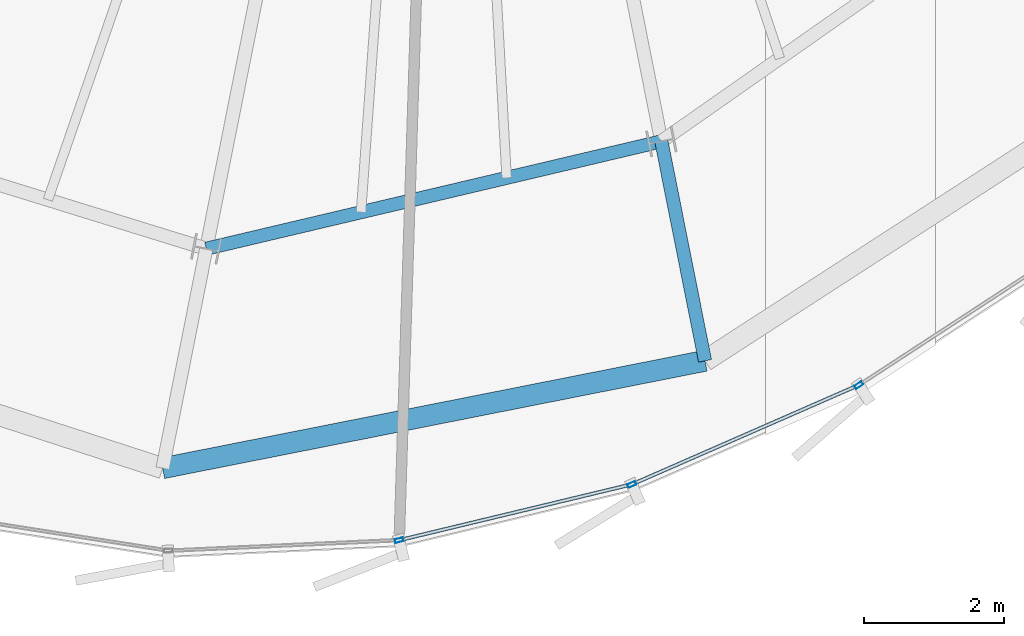
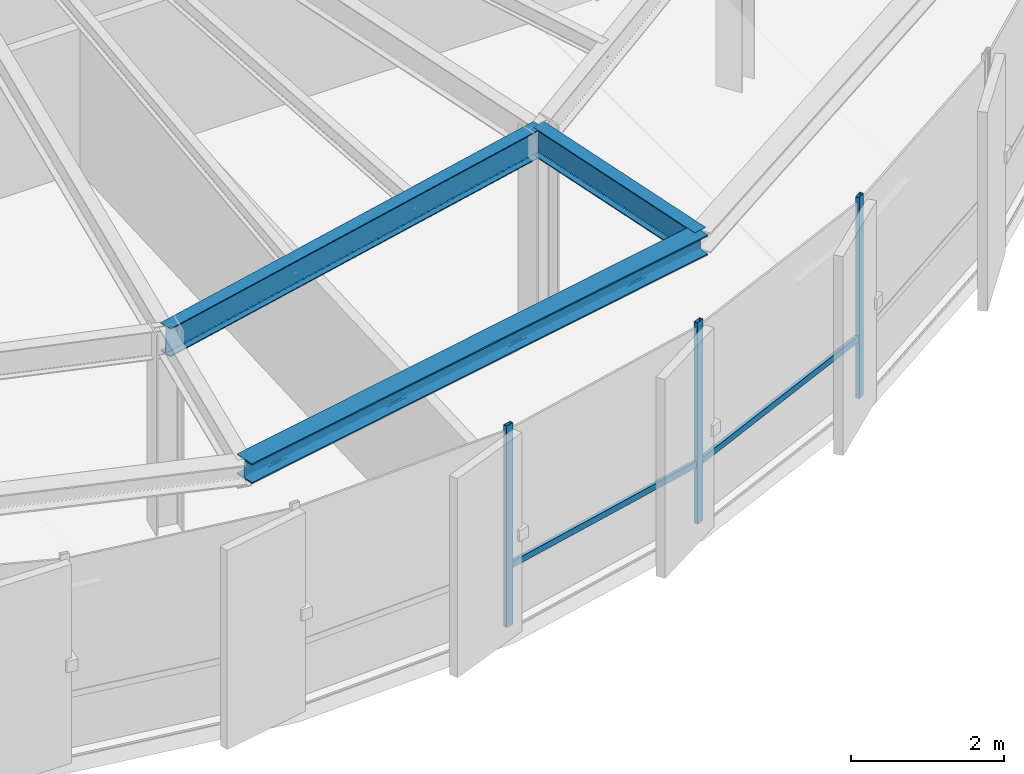
# One storey, part 6 of 31: 5 members, 3 beams, 1 element without a shape of its own.
"""IFC4 building model written with IfcOpenShell, lengths in metres."""

import ifcopenshell
import ifcopenshell.guid

model = None  # the IFC model being written
_history = None  # IfcOwnerHistory: only IFC2X3 demands one
_inside = {}  # id of a spatial element -> (the spatial element, [elements in it])
_under = {}  # id of a project, library or spatial element -> (it, [spatial elements below it])
_declared = {}  # id of a project -> (the project, [libraries it declares])
_typed = {}  # id of a type object -> (the type object, [elements of that type])
_made_of = {}  # id of a material, layer set ... -> (it, [elements and type objects made of it])


def new_model(schema):
    """Start an empty IFC model of exactly this schema.

    Asked for "IFC4X3", IfcOpenShell would pick the latest addendum, in which some entities
    have other attributes; the version numbers below select the first issue.
    IFC2X3 requires an IfcOwnerHistory on every rooted entity: one is made here for all.
    """
    global model, _history
    if schema == "IFC4X3":
        model = ifcopenshell.file(schema_version=(4, 3, 0, 0))
    else:
        model = ifcopenshell.file(schema=schema)
    _inside.clear()
    _under.clear()
    _declared.clear()
    _typed.clear()
    _made_of.clear()
    _history = None
    if model.schema == "IFC2X3":
        org = make("IfcOrganization", Name="unknown")
        user = make(
            "IfcPersonAndOrganization",
            ThePerson=make("IfcPerson", FamilyName="unknown"),
            TheOrganization=org,
        )
        app = make(
            "IfcApplication",
            ApplicationDeveloper=org,
            Version="unknown",
            ApplicationFullName="unknown",
            ApplicationIdentifier="unknown",
        )
        _history = make(
            "IfcOwnerHistory",
            OwningUser=user,
            OwningApplication=app,
            ChangeAction="ADDED",
            CreationDate=0,
        )
    return model


def make(cls, **values):
    """One entity of the class cls with the attributes given. An attribute that is None is left unset."""
    return model.create_entity(
        cls, **{name: value for name, value in values.items() if value is not None}
    )


def rooted(cls, **values):
    """An entity with a GlobalId (a new one), such as an element, a storey or a relation."""
    return make(cls, GlobalId=ifcopenshell.guid.new(), OwnerHistory=_history, **values)


def si_unit(unit_type, name, prefix=None):
    """IfcSIUnit, for example si_unit("LENGTHUNIT", "METRE", prefix="MILLI")."""
    return make("IfcSIUnit", UnitType=unit_type, Prefix=prefix, Name=name)


def assignment(units):
    """IfcUnitAssignment: the units of a project."""
    return None if units is None else make("IfcUnitAssignment", Units=units)


def point(xyz):
    """IfcCartesianPoint."""
    return None if xyz is None else make("IfcCartesianPoint", Coordinates=xyz)


def direction(xyz):
    """IfcDirection."""
    return None if xyz is None else make("IfcDirection", DirectionRatios=xyz)


def frame(location, z_axis=None, x_axis=None):
    """IfcAxis2Placement3D, a coordinate frame: its origin and axes. An axis left out is left unset."""
    return make(
        "IfcAxis2Placement3D",
        Location=point(location),
        Axis=direction(z_axis),
        RefDirection=direction(x_axis),
    )


def frame_2d(location, x_axis=None):
    """IfcAxis2Placement2D, a coordinate frame in the plane: its origin and x axis."""
    return make(
        "IfcAxis2Placement2D", Location=point(location), RefDirection=direction(x_axis)
    )


def origin():
    """The frame at (0, 0, 0) with its axes left unset."""
    return frame((0.0, 0.0, 0.0))


def origin_2d():
    """The frame at (0, 0) in the plane with its x axis left unset."""
    return frame_2d((0.0, 0.0))


def place(relative_to, where):
    """IfcLocalPlacement: puts the frame where relative to a parent placement (None: the world)."""
    return make(
        "IfcLocalPlacement", PlacementRelTo=relative_to, RelativePlacement=where
    )


def context(
    kind, dimensions, precision=None, world=None, true_north=None, identifier=None
):
    """IfcGeometricRepresentationContext, for example the 3D "Model" context."""
    return make(
        "IfcGeometricRepresentationContext",
        ContextIdentifier=identifier,
        ContextType=kind,
        CoordinateSpaceDimension=dimensions,
        Precision=precision,
        WorldCoordinateSystem=world,
        TrueNorth=true_north,
    )


def subcontext(parent, identifier, kind, view, scale=None):
    """IfcGeometricRepresentationSubContext, for example "Body" below "Model"."""
    return make(
        "IfcGeometricRepresentationSubContext",
        ContextIdentifier=identifier,
        ContextType=kind,
        ParentContext=parent,
        TargetScale=scale,
        TargetView=view,
    )


def project(units=None, contexts=None):
    """IfcProject with its units and contexts."""
    return rooted(
        "IfcProject",
        Name="project",
        RepresentationContexts=contexts,
        UnitsInContext=assignment(units),
    )


def spatial(cls, under=None, at=None, **own):
    """A site, building, storey or space (cls), placed at a placement, below another one or the project."""
    s = rooted(cls, ObjectPlacement=at, **own)
    if under is not None:
        _under.setdefault(under.id(), (under, []))[1].append(s)
    return s


def profile(cls, at=None, kind="AREA", **sizes):
    """A parametric profile (cls). Its sizes go by their IFC names, for example OverallWidth=200.0."""
    return make(cls, ProfileType=kind, Position=at, **sizes)


def hollow_rectangle(**sizes):
    """IfcRectangleHollowProfileDef."""
    return profile("IfcRectangleHollowProfileDef", **sizes)


def i_section(**sizes):
    """IfcIShapeProfileDef."""
    return profile("IfcIShapeProfileDef", **sizes)


def extrude(swept, where, along, depth):
    """IfcExtrudedAreaSolid: the profile swept, set in the frame where, extruded along a direction by depth."""
    return make(
        "IfcExtrudedAreaSolid",
        SweptArea=swept,
        Position=where,
        ExtrudedDirection=direction(along),
        Depth=depth,
    )


def shape(context_of_items, identifier, shape_type, items):
    """IfcShapeRepresentation: the items that make up one representation, for example the "Body"."""
    return make(
        "IfcShapeRepresentation",
        ContextOfItems=context_of_items,
        RepresentationIdentifier=identifier,
        RepresentationType=shape_type,
        Items=items,
    )


def source(mapping_origin, context_of_items, identifier, shape_type, items):
    """IfcRepresentationMap: a shape defined once, which mapped items show again and again."""
    return make(
        "IfcRepresentationMap",
        MappingOrigin=mapping_origin,
        MappedRepresentation=shape(context_of_items, identifier, shape_type, items),
    )


def transform(
    local_origin,
    x_axis=None,
    y_axis=None,
    z_axis=None,
    scale=None,
    scale2=None,
    scale3=None,
    uniform=True,
):
    """IfcCartesianTransformationOperator3D, or its non-uniform kind. x_axis, y_axis, z_axis: its Axis1, 2, 3."""
    if uniform:
        return make(
            "IfcCartesianTransformationOperator3D",
            Axis1=direction(x_axis),
            Axis2=direction(y_axis),
            LocalOrigin=point(local_origin),
            Scale=scale,
            Axis3=direction(z_axis),
        )
    return make(
        "IfcCartesianTransformationOperator3DnonUniform",
        Axis1=direction(x_axis),
        Axis2=direction(y_axis),
        LocalOrigin=point(local_origin),
        Scale=scale,
        Axis3=direction(z_axis),
        Scale2=scale2,
        Scale3=scale3,
    )


def mapped(mapping_source, mapping_target):
    """IfcMappedItem: shows the shape of a source again, moved by a transform."""
    return make(
        "IfcMappedItem", MappingSource=mapping_source, MappingTarget=mapping_target
    )


def material(Name=None, Category=None):
    """IfcMaterial."""
    return make("IfcMaterial", Name=Name, Category=Category)


def layer(
    of_material, thickness, ventilated=None, Name=None, Category=None, Priority=None
):
    """IfcMaterialLayer: one layer of a wall or slab, of a material (None: an air gap)."""
    return make(
        "IfcMaterialLayer",
        Material=of_material,
        LayerThickness=thickness,
        IsVentilated=ventilated,
        Name=Name,
        Category=Category,
        Priority=Priority,
    )


def layer_set(layers, Name=None):
    """IfcMaterialLayerSet."""
    return make("IfcMaterialLayerSet", MaterialLayers=layers, LayerSetName=Name)


def material_profile(
    of_material, cross_section, Name=None, Category=None, Priority=None
):
    """IfcMaterialProfile: a cross section and its material."""
    return make(
        "IfcMaterialProfile",
        Name=Name,
        Material=of_material,
        Profile=cross_section,
        Priority=Priority,
        Category=Category,
    )


def profile_set(profiles, Name=None, composite=None):
    """IfcMaterialProfileSet."""
    return make(
        "IfcMaterialProfileSet",
        Name=Name,
        MaterialProfiles=profiles,
        CompositeProfile=composite,
    )


def made_of(thing, what):
    """Note that an element or type object is made of a material, layer set ...; save() writes the relation."""
    if what is not None:
        _made_of.setdefault(what.id(), (what, []))[1].append(thing)
    return thing


def type_object(cls, material=None, **own):
    """A type object (cls), such as IfcWallType, which elements share."""
    return made_of(rooted(cls, **own), material)


def element(
    cls,
    number,
    at=None,
    inside=None,
    cuts=None,
    type_object=None,
    material=None,
    context=None,
    identifier="Body",
    shape_type=None,
    held_by="IfcProductDefinitionShape",
    body=None,
    shapes=None,
    **own,
):
    """One element of the class cls, such as IfcWall. Its Tag is "e" and its number.

    at: its placement. inside: the storey or other place that contains it. cuts: it is an
    opening in that element (IfcRelVoidsElement). A single representation is given by context,
    identifier, shape_type and body (its items); several are given by shapes. held_by: the class
    of the entity that holds the representations. save() writes the other relations.
    """
    e = rooted(cls, Tag="e%d" % number, ObjectPlacement=at, **own)
    if body is not None:
        shapes = [shape(context, identifier, shape_type, body)]
    if shapes is not None:
        e.Representation = make(held_by, Representations=shapes)
    if inside is not None:
        _inside.setdefault(inside.id(), (inside, []))[1].append(e)
    if cuts is not None:
        rooted(
            "IfcRelVoidsElement", RelatingBuildingElement=cuts, RelatedOpeningElement=e
        )
    if type_object is not None:
        _typed.setdefault(type_object.id(), (type_object, []))[1].append(e)
    return made_of(e, material)


def aggregate(whole, parts):
    """IfcRelAggregates: a whole, such as a stair, and the parts it consists of."""
    return rooted("IfcRelAggregates", RelatingObject=whole, RelatedObjects=parts)


def save(model, path):
    """Write the relations noted so far, then the file.

    IfcRelAggregates (storeys below a building ...), IfcRelContainedInSpatialStructure (elements
    in a storey), IfcRelDefinesByType, IfcRelAssociatesMaterial and IfcRelDeclares: one each for
    every whole, place, type object, material and project.
    """
    for whole, parts in _under.values():
        aggregate(whole, parts)
    for where, things in _inside.values():
        rooted(
            "IfcRelContainedInSpatialStructure",
            RelatedElements=things,
            RelatingStructure=where,
        )
    for kind, things in _typed.values():
        rooted("IfcRelDefinesByType", RelatedObjects=things, RelatingType=kind)
    for what, things in _made_of.values():
        rooted("IfcRelAssociatesMaterial", RelatedObjects=things, RelatingMaterial=what)
    for by, libraries in _declared.values():
        rooted("IfcRelDeclares", RelatingContext=by, RelatedDefinitions=libraries)
    model.write(path)


model = new_model("IFC4")

# Units and contexts
model_context = context("Model", 3, precision=1e-05, world=origin(), true_north=direction((0.0, 1.0)))
body_context = subcontext(model_context, "Body", "Model", "MODEL_VIEW")
ifc_project = project(units=[si_unit("LENGTHUNIT", "METRE"), si_unit("AREAUNIT", "SQUARE_METRE"), si_unit("VOLUMEUNIT", "CUBIC_METRE"), si_unit("PLANEANGLEUNIT", "RADIAN"), si_unit("MASSUNIT", "GRAM", prefix="KILO"), si_unit("THERMODYNAMICTEMPERATUREUNIT", "KELVIN")], contexts=[model_context])

# Site, building, storey
site_placement = place(None, origin())
site = spatial("IfcSite", under=ifc_project, at=site_placement, CompositionType="ELEMENT")
building_placement = place(site_placement, origin())
building = spatial("IfcBuilding", under=site, at=building_placement, Name="Kethvar Cultural Tower", CompositionType="ELEMENT")
storey_placement = place(building_placement, frame((0.0, 0.0, 287.050048828125)))
storey = spatial("IfcBuildingStorey", under=building, at=storey_placement, Name="L76", CompositionType="ELEMENT", Elevation=287.050048828125)

# Beams
ifc_material_1 = material(Name="Steel S355J2", Category="steel")
ifc_material_profile_1 = material_profile(ifc_material_1, i_section(OverallWidth=0.18994140625, OverallDepth=0.449951171875, WebThickness=0.009521484375, FlangeThickness=0.0146484375, FilletRadius=0.02099609375, at=origin_2d()), Name="Steel S355J2 — IPE450")
ifc_profile_set_1 = profile_set([ifc_material_profile_1], Name="Steel S355J2 — IPE450")
beam_type_1 = type_object("IfcBeamType", Name="BM-IPE450", PredefinedType="BEAM", material=ifc_profile_set_1)
shared_shape_1 = source(origin(), body_context, "Body", "SweptSolid", [
    extrude(i_section(OverallWidth=0.18994140625, OverallDepth=0.449951171875, WebThickness=0.009521484375, FlangeThickness=0.0146484375, FilletRadius=0.02099609375, at=origin_2d()), origin(), (0.0, 0.0, 1.0), 3.199951171875),
])
beam_1_placement = place(storey_placement, frame((49.901611328125, 12.206787109375, 2.98291015625), z_axis=(0.195088965533, -0.980785550224, 0.0), x_axis=(0.980785550224, 0.195088965533, 0.0)))
element("IfcBeam", 1, at=beam_1_placement, inside=storey, type_object=beam_type_1, Name="L76 Perimeter Cantilever Beam RC-13", PredefinedType="BEAM", context=body_context, shape_type="MappedRepresentation", body=[
    mapped(shared_shape_1, transform((0.0, 0.0, 0.0), scale=1.0)),
])
shared_shape_2 = source(origin(), body_context, "Body", "SweptSolid", [
    extrude(i_section(OverallWidth=0.18994140625, OverallDepth=0.449951171875, WebThickness=0.009521484375, FlangeThickness=0.0146484375, FilletRadius=0.02099609375, at=origin_2d()), origin(), (0.0, 0.0, 1.0), 6.6875),
])
beam_2_placement = place(storey_placement, frame((43.392822265625, 10.67138671875, 2.98291015625), z_axis=(0.973286301494, 0.22959480683, 0.0), x_axis=(-0.22959480683, 0.973286301494, 0.0)))
element("IfcBeam", 2, at=beam_2_placement, inside=storey, type_object=beam_type_1, Name="L76 Column Ring Tie Beam CR-12", PredefinedType="BEAM", context=body_context, shape_type="MappedRepresentation", body=[
    mapped(shared_shape_2, transform((0.0, 0.0, 0.0), scale=1.0)),
])
ifc_material_profile_2 = material_profile(ifc_material_1, i_section(OverallWidth=0.300048828125, OverallDepth=0.320068359375, WebThickness=0.011474609375, FlangeThickness=0.0205078125, FilletRadius=0.027099609375, at=origin_2d()), Name="Steel S355J2 — HEB320")
ifc_profile_set_2 = profile_set([ifc_material_profile_2], Name="Steel S355J2 — HEB320")
beam_type_2 = type_object("IfcBeamType", Name="BM-SP320", PredefinedType="SPANDREL", material=ifc_profile_set_2)
shared_shape_3 = source(origin(), body_context, "Body", "SweptSolid", [
    extrude(i_section(OverallWidth=0.300048828125, OverallDepth=0.320068359375, WebThickness=0.011474609375, FlangeThickness=0.0205078125, FilletRadius=0.027099609375, at=origin_2d()), origin(), (0.0, 0.0, 1.0), 7.907958984375),
])
beam_3_placement = place(storey_placement, frame((42.7685546875, 7.53271484375, 3.0478515625), z_axis=(0.980963515828, 0.194192122948, 0.0), x_axis=(-0.194192122948, 0.980963515828, 0.0)))
element("IfcBeam", 3, at=beam_3_placement, inside=storey, type_object=beam_type_2, Name="L76 Perimeter Spandrel Beam SP-12", PredefinedType="SPANDREL", context=body_context, shape_type="MappedRepresentation", body=[
    mapped(shared_shape_3, transform((0.0, 0.0, 0.0), scale=1.0)),
])

# Curtain wall, members
ifc_material_2 = material(Name="Aluminium 6063-T6", Category="aluminium")
ifc_layer = layer(ifc_material_2, 0.179931640625, Name="Aluminium 6063-T6", Category="aluminium")
ifc_layer_set = layer_set([ifc_layer], Name="Aluminium 6063-T6 (180 mm)")
curtain_wall_type = type_object("IfcCurtainWallType", Name="CW-SYS-05-Z56", PredefinedType="NOTDEFINED", material=ifc_layer_set)
curtain_wall_placement = place(storey_placement, origin())
curtain_wall = element("IfcCurtainWall", 4, at=curtain_wall_placement, inside=storey, type_object=curtain_wall_type, Name="L76 Curtain Wall Run 04", PredefinedType="NOTDEFINED")
ifc_material_profile_3 = material_profile(ifc_material_2, hollow_rectangle(XDim=0.054931640625, YDim=0.1201171875, WallThickness=0.00390625, at=origin_2d()), Name="Aluminium 6063-T6 — RHS120x55x4")
ifc_profile_set_3 = profile_set([ifc_material_profile_3], Name="Aluminium 6063-T6 — RHS120x55x4")
member_type_1 = type_object("IfcMemberType", Name="CW-SYS-05-Z56-MUL", PredefinedType="MULLION", material=ifc_profile_set_3)
shared_shape_4 = source(origin(), body_context, "Body", "SweptSolid", [
    extrude(hollow_rectangle(XDim=0.054931640625, YDim=0.1201171875, WallThickness=0.00390625, at=origin_2d()), origin(), (0.0, 0.0, 1.0), 3.2099609375),
])
member_1_placement = place(storey_placement, frame((46.152099609375, 6.50244140625, 0.0), z_axis=(0.0, 0.0, 1.0), x_axis=(-0.233496276706, 0.972357695894, 0.0)))
member_1 = element("IfcMember", 5, at=member_1_placement, type_object=member_type_1, Name="CW-L76-R04 Mullion 4", PredefinedType="MULLION", context=body_context, shape_type="MappedRepresentation", body=[
    mapped(shared_shape_4, transform((0.0, 0.0, 0.0), scale=1.0)),
])
member_2_placement = place(storey_placement, frame((49.479248046875, 7.2998046875, 0.0), z_axis=(0.0, 0.0, 1.0), x_axis=(-0.401244479811, 0.915970997042, 0.0)))
member_2 = element("IfcMember", 6, at=member_2_placement, type_object=member_type_1, Name="CW-L76-R04 Mullion 5", PredefinedType="MULLION", context=body_context, shape_type="MappedRepresentation", body=[
    mapped(shared_shape_4, transform((0.0, 0.0, 0.0), scale=1.0)),
])
member_3_placement = place(storey_placement, frame((52.725830078125, 8.720703125, 0.0), z_axis=(0.0, 0.0, 1.0), x_axis=(-0.546730508005, 0.837308635819, 0.0)))
member_3 = element("IfcMember", 7, at=member_3_placement, type_object=member_type_1, Name="CW-L76-R04 Mullion 6", PredefinedType="MULLION", context=body_context, shape_type="MappedRepresentation", body=[
    mapped(shared_shape_4, transform((0.0, 0.0, 0.0), scale=1.0)),
])
ifc_material_profile_4 = material_profile(ifc_material_2, hollow_rectangle(XDim=0.050048828125, YDim=0.10009765625, WallThickness=0.00390625, at=origin_2d()), Name="Aluminium 6063-T6 — RHS100x50x4")
ifc_profile_set_4 = profile_set([ifc_material_profile_4], Name="Aluminium 6063-T6 — RHS100x50x4")
member_type_2 = type_object("IfcMemberType", Name="CW-SYS-05-Z56-TRN", PredefinedType="USERDEFINED", material=ifc_profile_set_4)
shared_shape_5 = source(origin(), body_context, "Body", "SweptSolid", [
    extrude(hollow_rectangle(XDim=0.050048828125, YDim=0.10009765625, WallThickness=0.00390625, at=origin_2d()), origin(), (0.0, 0.0, 1.0), 3.481201171875),
])
member_4_placement = place(storey_placement, frame((49.515380859375, 7.31591796875, 0.949951171875), z_axis=(0.915981804514, 0.401219807337, 0.0), x_axis=(-0.401219807337, 0.915981804514, 0.0)))
member_4 = element("IfcMember", 8, at=member_4_placement, type_object=member_type_2, Name="CW-L76-R04 Transom 5", ObjectType="TRANSOM", PredefinedType="USERDEFINED", context=body_context, shape_type="MappedRepresentation", body=[
    mapped(shared_shape_5, transform((0.0, 0.0, 0.0), scale=1.0)),
])
shared_shape_6 = source(origin(), body_context, "Body", "SweptSolid", [
    extrude(hollow_rectangle(XDim=0.050048828125, YDim=0.10009765625, WallThickness=0.00390625, at=origin_2d()), origin(), (0.0, 0.0, 1.0), 3.35986328125),
])
member_5_placement = place(storey_placement, frame((46.190673828125, 6.51171875, 0.949951171875), z_axis=(0.972345071576, 0.233548842392, 0.0), x_axis=(-0.233548842392, 0.972345071576, 0.0)))
member_5 = element("IfcMember", 9, at=member_5_placement, type_object=member_type_2, Name="CW-L76-R04 Transom 4", ObjectType="TRANSOM", PredefinedType="USERDEFINED", context=body_context, shape_type="MappedRepresentation", body=[
    mapped(shared_shape_6, transform((0.0, 0.0, 0.0), scale=1.0)),
])
aggregate(curtain_wall, [member_1, member_2, member_3, member_5, member_4])

save(model, "model.ifc")
